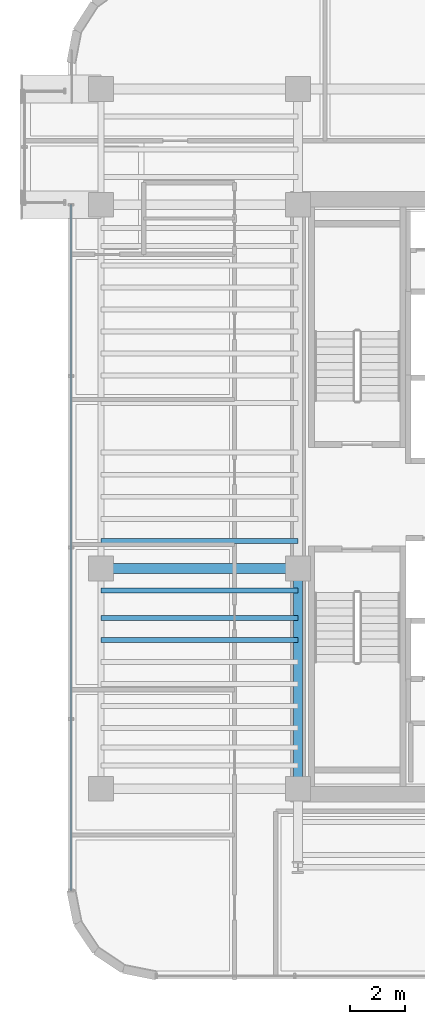
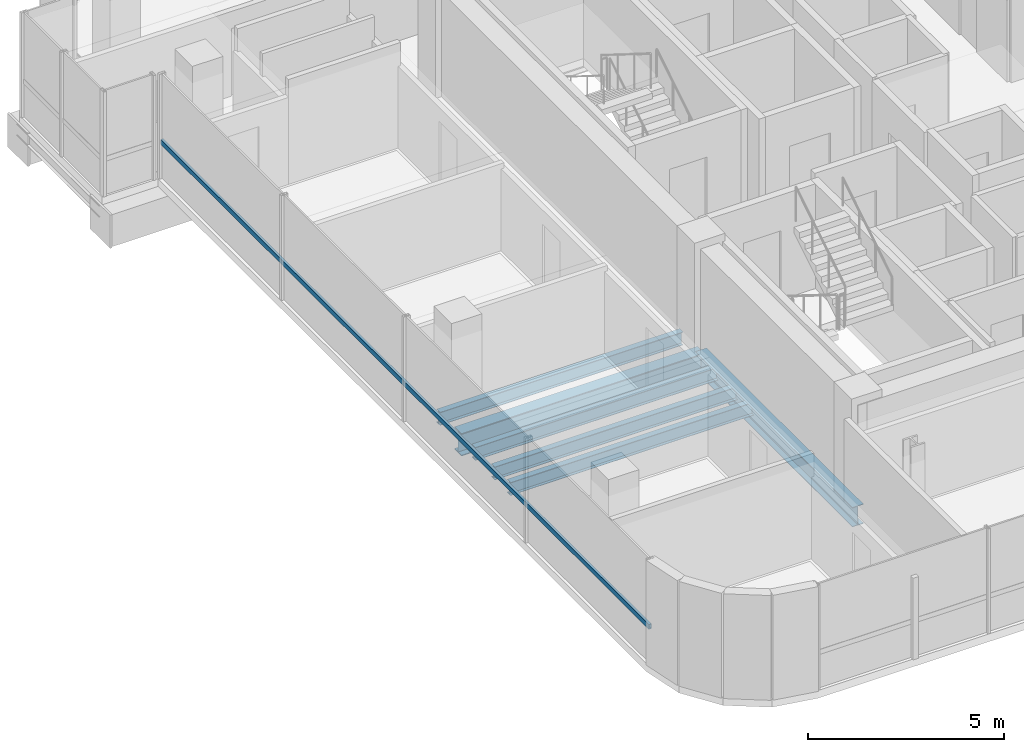
# One storey, part 5 of 21: 6 beams, 1 member, 1 element without a shape of its own.
"""IFC4 building model written with IfcOpenShell, lengths in metres."""

import ifcopenshell
import ifcopenshell.guid

model = None  # the IFC model being written
_history = None  # IfcOwnerHistory: only IFC2X3 demands one
_inside = {}  # id of a spatial element -> (the spatial element, [elements in it])
_under = {}  # id of a project, library or spatial element -> (it, [spatial elements below it])
_declared = {}  # id of a project -> (the project, [libraries it declares])
_typed = {}  # id of a type object -> (the type object, [elements of that type])
_made_of = {}  # id of a material, layer set ... -> (it, [elements and type objects made of it])


def new_model(schema):
    """Start an empty IFC model of exactly this schema.

    Asked for "IFC4X3", IfcOpenShell would pick the latest addendum, in which some entities
    have other attributes; the version numbers below select the first issue.
    IFC2X3 requires an IfcOwnerHistory on every rooted entity: one is made here for all.
    """
    global model, _history
    if schema == "IFC4X3":
        model = ifcopenshell.file(schema_version=(4, 3, 0, 0))
    else:
        model = ifcopenshell.file(schema=schema)
    _inside.clear()
    _under.clear()
    _declared.clear()
    _typed.clear()
    _made_of.clear()
    _history = None
    if model.schema == "IFC2X3":
        org = make("IfcOrganization", Name="unknown")
        user = make(
            "IfcPersonAndOrganization",
            ThePerson=make("IfcPerson", FamilyName="unknown"),
            TheOrganization=org,
        )
        app = make(
            "IfcApplication",
            ApplicationDeveloper=org,
            Version="unknown",
            ApplicationFullName="unknown",
            ApplicationIdentifier="unknown",
        )
        _history = make(
            "IfcOwnerHistory",
            OwningUser=user,
            OwningApplication=app,
            ChangeAction="ADDED",
            CreationDate=0,
        )
    return model


def make(cls, **values):
    """One entity of the class cls with the attributes given. An attribute that is None is left unset."""
    return model.create_entity(
        cls, **{name: value for name, value in values.items() if value is not None}
    )


def rooted(cls, **values):
    """An entity with a GlobalId (a new one), such as an element, a storey or a relation."""
    return make(cls, GlobalId=ifcopenshell.guid.new(), OwnerHistory=_history, **values)


def si_unit(unit_type, name, prefix=None):
    """IfcSIUnit, for example si_unit("LENGTHUNIT", "METRE", prefix="MILLI")."""
    return make("IfcSIUnit", UnitType=unit_type, Prefix=prefix, Name=name)


def assignment(units):
    """IfcUnitAssignment: the units of a project."""
    return None if units is None else make("IfcUnitAssignment", Units=units)


def point(xyz):
    """IfcCartesianPoint."""
    return None if xyz is None else make("IfcCartesianPoint", Coordinates=xyz)


def direction(xyz):
    """IfcDirection."""
    return None if xyz is None else make("IfcDirection", DirectionRatios=xyz)


def frame(location, z_axis=None, x_axis=None):
    """IfcAxis2Placement3D, a coordinate frame: its origin and axes. An axis left out is left unset."""
    return make(
        "IfcAxis2Placement3D",
        Location=point(location),
        Axis=direction(z_axis),
        RefDirection=direction(x_axis),
    )


def frame_2d(location, x_axis=None):
    """IfcAxis2Placement2D, a coordinate frame in the plane: its origin and x axis."""
    return make(
        "IfcAxis2Placement2D", Location=point(location), RefDirection=direction(x_axis)
    )


def origin():
    """The frame at (0, 0, 0) with its axes left unset."""
    return frame((0.0, 0.0, 0.0))


def origin_2d():
    """The frame at (0, 0) in the plane with its x axis left unset."""
    return frame_2d((0.0, 0.0))


def place(relative_to, where):
    """IfcLocalPlacement: puts the frame where relative to a parent placement (None: the world)."""
    return make(
        "IfcLocalPlacement", PlacementRelTo=relative_to, RelativePlacement=where
    )


def context(
    kind, dimensions, precision=None, world=None, true_north=None, identifier=None
):
    """IfcGeometricRepresentationContext, for example the 3D "Model" context."""
    return make(
        "IfcGeometricRepresentationContext",
        ContextIdentifier=identifier,
        ContextType=kind,
        CoordinateSpaceDimension=dimensions,
        Precision=precision,
        WorldCoordinateSystem=world,
        TrueNorth=true_north,
    )


def subcontext(parent, identifier, kind, view, scale=None):
    """IfcGeometricRepresentationSubContext, for example "Body" below "Model"."""
    return make(
        "IfcGeometricRepresentationSubContext",
        ContextIdentifier=identifier,
        ContextType=kind,
        ParentContext=parent,
        TargetScale=scale,
        TargetView=view,
    )


def project(units=None, contexts=None):
    """IfcProject with its units and contexts."""
    return rooted(
        "IfcProject",
        Name="project",
        RepresentationContexts=contexts,
        UnitsInContext=assignment(units),
    )


def spatial(cls, under=None, at=None, **own):
    """A site, building, storey or space (cls), placed at a placement, below another one or the project."""
    s = rooted(cls, ObjectPlacement=at, **own)
    if under is not None:
        _under.setdefault(under.id(), (under, []))[1].append(s)
    return s


def profile(cls, at=None, kind="AREA", **sizes):
    """A parametric profile (cls). Its sizes go by their IFC names, for example OverallWidth=200.0."""
    return make(cls, ProfileType=kind, Position=at, **sizes)


def hollow_rectangle(**sizes):
    """IfcRectangleHollowProfileDef."""
    return profile("IfcRectangleHollowProfileDef", **sizes)


def i_section(**sizes):
    """IfcIShapeProfileDef."""
    return profile("IfcIShapeProfileDef", **sizes)


def extrude(swept, where, along, depth):
    """IfcExtrudedAreaSolid: the profile swept, set in the frame where, extruded along a direction by depth."""
    return make(
        "IfcExtrudedAreaSolid",
        SweptArea=swept,
        Position=where,
        ExtrudedDirection=direction(along),
        Depth=depth,
    )


def shape(context_of_items, identifier, shape_type, items):
    """IfcShapeRepresentation: the items that make up one representation, for example the "Body"."""
    return make(
        "IfcShapeRepresentation",
        ContextOfItems=context_of_items,
        RepresentationIdentifier=identifier,
        RepresentationType=shape_type,
        Items=items,
    )


def source(mapping_origin, context_of_items, identifier, shape_type, items):
    """IfcRepresentationMap: a shape defined once, which mapped items show again and again."""
    return make(
        "IfcRepresentationMap",
        MappingOrigin=mapping_origin,
        MappedRepresentation=shape(context_of_items, identifier, shape_type, items),
    )


def transform(
    local_origin,
    x_axis=None,
    y_axis=None,
    z_axis=None,
    scale=None,
    scale2=None,
    scale3=None,
    uniform=True,
):
    """IfcCartesianTransformationOperator3D, or its non-uniform kind. x_axis, y_axis, z_axis: its Axis1, 2, 3."""
    if uniform:
        return make(
            "IfcCartesianTransformationOperator3D",
            Axis1=direction(x_axis),
            Axis2=direction(y_axis),
            LocalOrigin=point(local_origin),
            Scale=scale,
            Axis3=direction(z_axis),
        )
    return make(
        "IfcCartesianTransformationOperator3DnonUniform",
        Axis1=direction(x_axis),
        Axis2=direction(y_axis),
        LocalOrigin=point(local_origin),
        Scale=scale,
        Axis3=direction(z_axis),
        Scale2=scale2,
        Scale3=scale3,
    )


def mapped(mapping_source, mapping_target):
    """IfcMappedItem: shows the shape of a source again, moved by a transform."""
    return make(
        "IfcMappedItem", MappingSource=mapping_source, MappingTarget=mapping_target
    )


def material(Name=None, Category=None):
    """IfcMaterial."""
    return make("IfcMaterial", Name=Name, Category=Category)


def material_profile(
    of_material, cross_section, Name=None, Category=None, Priority=None
):
    """IfcMaterialProfile: a cross section and its material."""
    return make(
        "IfcMaterialProfile",
        Name=Name,
        Material=of_material,
        Profile=cross_section,
        Priority=Priority,
        Category=Category,
    )


def profile_set(profiles, Name=None, composite=None):
    """IfcMaterialProfileSet."""
    return make(
        "IfcMaterialProfileSet",
        Name=Name,
        MaterialProfiles=profiles,
        CompositeProfile=composite,
    )


def made_of(thing, what):
    """Note that an element or type object is made of a material, layer set ...; save() writes the relation."""
    if what is not None:
        _made_of.setdefault(what.id(), (what, []))[1].append(thing)
    return thing


def type_object(cls, material=None, **own):
    """A type object (cls), such as IfcWallType, which elements share."""
    return made_of(rooted(cls, **own), material)


def element(
    cls,
    number,
    at=None,
    inside=None,
    cuts=None,
    type_object=None,
    material=None,
    context=None,
    identifier="Body",
    shape_type=None,
    held_by="IfcProductDefinitionShape",
    body=None,
    shapes=None,
    **own,
):
    """One element of the class cls, such as IfcWall. Its Tag is "e" and its number.

    at: its placement. inside: the storey or other place that contains it. cuts: it is an
    opening in that element (IfcRelVoidsElement). A single representation is given by context,
    identifier, shape_type and body (its items); several are given by shapes. held_by: the class
    of the entity that holds the representations. save() writes the other relations.
    """
    e = rooted(cls, Tag="e%d" % number, ObjectPlacement=at, **own)
    if body is not None:
        shapes = [shape(context, identifier, shape_type, body)]
    if shapes is not None:
        e.Representation = make(held_by, Representations=shapes)
    if inside is not None:
        _inside.setdefault(inside.id(), (inside, []))[1].append(e)
    if cuts is not None:
        rooted(
            "IfcRelVoidsElement", RelatingBuildingElement=cuts, RelatedOpeningElement=e
        )
    if type_object is not None:
        _typed.setdefault(type_object.id(), (type_object, []))[1].append(e)
    return made_of(e, material)


def aggregate(whole, parts):
    """IfcRelAggregates: a whole, such as a stair, and the parts it consists of."""
    return rooted("IfcRelAggregates", RelatingObject=whole, RelatedObjects=parts)


def save(model, path):
    """Write the relations noted so far, then the file.

    IfcRelAggregates (storeys below a building ...), IfcRelContainedInSpatialStructure (elements
    in a storey), IfcRelDefinesByType, IfcRelAssociatesMaterial and IfcRelDeclares: one each for
    every whole, place, type object, material and project.
    """
    for whole, parts in _under.values():
        aggregate(whole, parts)
    for where, things in _inside.values():
        rooted(
            "IfcRelContainedInSpatialStructure",
            RelatedElements=things,
            RelatingStructure=where,
        )
    for kind, things in _typed.values():
        rooted("IfcRelDefinesByType", RelatedObjects=things, RelatingType=kind)
    for what, things in _made_of.values():
        rooted("IfcRelAssociatesMaterial", RelatedObjects=things, RelatingMaterial=what)
    for by, libraries in _declared.values():
        rooted("IfcRelDeclares", RelatingContext=by, RelatedDefinitions=libraries)
    model.write(path)


model = new_model("IFC4")

# Units and contexts
model_context = context("Model", 3, precision=1e-05, world=origin(), true_north=direction((0.0, 1.0)))
body_context = subcontext(model_context, "Body", "Model", "MODEL_VIEW")
ifc_project = project(units=[si_unit("LENGTHUNIT", "METRE"), si_unit("AREAUNIT", "SQUARE_METRE"), si_unit("VOLUMEUNIT", "CUBIC_METRE"), si_unit("PLANEANGLEUNIT", "RADIAN"), si_unit("MASSUNIT", "GRAM", prefix="KILO")], contexts=[model_context])

# Site, building, storey
site_placement = place(None, origin())
site = spatial("IfcSite", under=ifc_project, at=site_placement, CompositionType="ELEMENT")
building_placement = place(site_placement, origin())
building = spatial("IfcBuilding", under=site, at=building_placement, Name="Valdorenza Pilgrim Sanctuary Tower", CompositionType="ELEMENT")
storey_placement = place(building_placement, frame((0.0, 0.0, 219.5)))
storey = spatial("IfcBuildingStorey", under=building, at=storey_placement, Name="L56", CompositionType="ELEMENT", Elevation=219.5)

# Beams
ifc_material_1 = material(Name="Steel ASTM A992 Grade 50", Category="steel")
ifc_material_profile_1 = material_profile(ifc_material_1, i_section(OverallWidth=0.323974609375, OverallDepth=0.611083984375, WebThickness=0.0126953125, FlangeThickness=0.01904296875, at=origin_2d()), Name="W24X104")
ifc_profile_set_1 = profile_set([ifc_material_profile_1], Name="Steel ASTM A992 Grade 50")
beam_type_1 = type_object("IfcBeamType", Name="STR-BM-GRD-W24B", PredefinedType="BEAM", material=ifc_profile_set_1)
shared_shape_1 = source(origin(), body_context, "Body", "SweptSolid", [
    extrude(i_section(OverallWidth=0.323974609375, OverallDepth=0.611083984375, WebThickness=0.0126953125, FlangeThickness=0.01904296875, at=origin_2d()), origin(), (0.0, 0.0, 1.0), 8.0),
])
beam_1_placement = place(storey_placement, frame((-22.64990234375, -10.60009765625, -0.54541015625), z_axis=(0.0, 1.0, 0.0), x_axis=(-1.0, 0.0, 0.0)))
element("IfcBeam", 1, at=beam_1_placement, inside=storey, type_object=beam_type_1, Name="L56 Core Tie Girder CA-W-S1M0", PredefinedType="BEAM", context=body_context, shape_type="MappedRepresentation", body=[
    mapped(shared_shape_1, transform((0.0, 0.0, 0.0), x_axis=(1.0, 0.0, 0.0), y_axis=(0.0, 1.0, 0.0), z_axis=(0.0, 0.0, 1.0), scale=1.0)),
])
ifc_material_profile_2 = material_profile(ifc_material_1, i_section(OverallWidth=0.35595703125, OverallDepth=0.700927734375, WebThickness=0.016845703125, FlangeThickness=0.02734375, at=origin_2d()), Name="W27X161")
ifc_profile_set_2 = profile_set([ifc_material_profile_2], Name="Steel ASTM A992 Grade 50")
beam_type_2 = type_object("IfcBeamType", Name="STR-BM-GRD-W27", PredefinedType="BEAM", material=ifc_profile_set_2)
shared_shape_2 = source(origin(), body_context, "Body", "SweptSolid", [
    extrude(i_section(OverallWidth=0.35595703125, OverallDepth=0.700927734375, WebThickness=0.016845703125, FlangeThickness=0.02734375, at=origin_2d()), origin(), (0.0, 0.0, 1.0), 7.150146484375),
])
beam_2_placement = place(storey_placement, frame((-29.800048828125, -2.60009765625, -0.590576171875), z_axis=(1.0, 0.0, 0.0), x_axis=(0.0, 1.0, 0.0)))
element("IfcBeam", 2, at=beam_2_placement, inside=storey, type_object=beam_type_2, Name="L56 Floor Girder WA-XW-M0", PredefinedType="BEAM", context=body_context, shape_type="MappedRepresentation", body=[
    mapped(shared_shape_2, transform((0.0, 0.0, 0.0), x_axis=(1.0, 0.0, 0.0), y_axis=(0.0, 1.0, 0.0), z_axis=(0.0, 0.0, 1.0), scale=1.0)),
])
ifc_material_profile_3 = material_profile(ifc_material_1, i_section(OverallWidth=0.177978515625, OverallDepth=0.406005859375, WebThickness=0.0078125, FlangeThickness=0.0126953125, at=origin_2d()), Name="W16X40")
ifc_profile_set_3 = profile_set([ifc_material_profile_3], Name="Steel ASTM A992 Grade 50")
beam_type_3 = type_object("IfcBeamType", Name="STR-BM-JST-W16", PredefinedType="JOIST", material=ifc_profile_set_3)
shared_shape_3 = source(origin(), body_context, "Body", "SweptSolid", [
    extrude(i_section(OverallWidth=0.177978515625, OverallDepth=0.406005859375, WebThickness=0.0078125, FlangeThickness=0.0126953125, at=origin_2d()), origin(), (0.0, 0.0, 1.0), 7.150146484375),
])
for number, where, z_axis, x_axis, name in (
    (3, (-29.800048828125, -5.199951171875, -0.443115234375), (1.0, 0.0, 0.0), (0.0, 1.0, 0.0), "L56 Composite Floor Joist JST-WA-7"),
    (4, (-29.800048828125, -4.39990234375, -0.443115234375), (1.0, 0.0, 0.0), (0.0, 1.0, 0.0), "L56 Composite Floor Joist JST-WA-8"),
    (5, (-29.800048828125, -3.39990234375, -0.443115234375), (1.0, 0.0, 0.0), (0.0, 1.0, 0.0), "L56 Composite Floor Joist JST-WA-9"),
    (6, (-29.800048828125, -1.60009765625, -0.443115234375), (1.0, 0.0, 0.0), (0.0, 1.0, 0.0), "L56 Composite Floor Joist JST-WA-10"),
):
    element("IfcBeam", number, at=place(storey_placement, frame(where, z_axis=z_axis, x_axis=x_axis)), inside=storey, type_object=beam_type_3, Name=name, PredefinedType="JOIST", context=body_context, shape_type="MappedRepresentation", body=[
        mapped(shared_shape_3, transform((0.0, 0.0, 0.0), x_axis=(1.0, 0.0, 0.0), y_axis=(0.0, 1.0, 0.0), z_axis=(0.0, 0.0, 1.0), scale=1.0)),
    ])

# Curtain wall, member
ifc_material_2 = material(Name="Curtain-wall IGU glazing", Category="glass")
curtain_wall_type = type_object("IfcCurtainWallType", Name="CW-SYS-02", PredefinedType="NOTDEFINED", material=ifc_material_2)
curtain_wall_placement = place(storey_placement, origin())
curtain_wall = element("IfcCurtainWall", 7, at=curtain_wall_placement, inside=storey, type_object=curtain_wall_type, Name="L56 Curtain Wall CW-L56-1-1S1", PredefinedType="NOTDEFINED")
ifc_material_3 = material(Name="Anodised aluminium AW-6060", Category="aluminium")
ifc_material_profile_4 = material_profile(ifc_material_3, hollow_rectangle(XDim=0.074951171875, YDim=0.14990234375, WallThickness=0.00390625, at=origin_2d()), Name="ALU-T 150x75x4")
ifc_profile_set_4 = profile_set([ifc_material_profile_4], Name="Anodised aluminium AW-6060")
member_type = type_object("IfcMemberType", Name="CW-TRN-02", PredefinedType="USERDEFINED", material=ifc_profile_set_4)
shared_shape_4 = source(origin(), body_context, "Body", "SweptSolid", [
    extrude(hollow_rectangle(XDim=0.074951171875, YDim=0.14990234375, WallThickness=0.00390625, at=origin_2d()), origin(), (0.0, 0.0, 1.0), 24.889404296875),
])
member_placement = place(storey_placement, frame((-30.889892578125, -14.289306640625, 1.1201171875), z_axis=(0.0, 1.0, 0.0), x_axis=(-1.0, 0.0, 0.0)))
member = element("IfcMember", 8, at=member_placement, type_object=member_type, Name="CW-L56-1-1S1 Transom 1", ObjectType="TRANSOM", PredefinedType="USERDEFINED", context=body_context, shape_type="MappedRepresentation", body=[
    mapped(shared_shape_4, transform((0.0, 0.0, 0.0), x_axis=(1.0, 0.0, 0.0), y_axis=(0.0, 1.0, 0.0), z_axis=(0.0, 0.0, 1.0), scale=1.0)),
])
aggregate(curtain_wall, [member])

save(model, "model.ifc")
